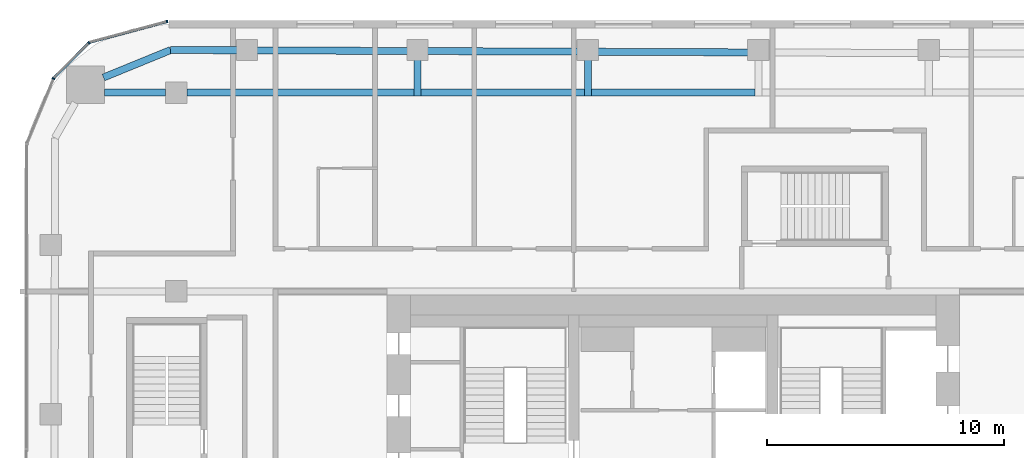
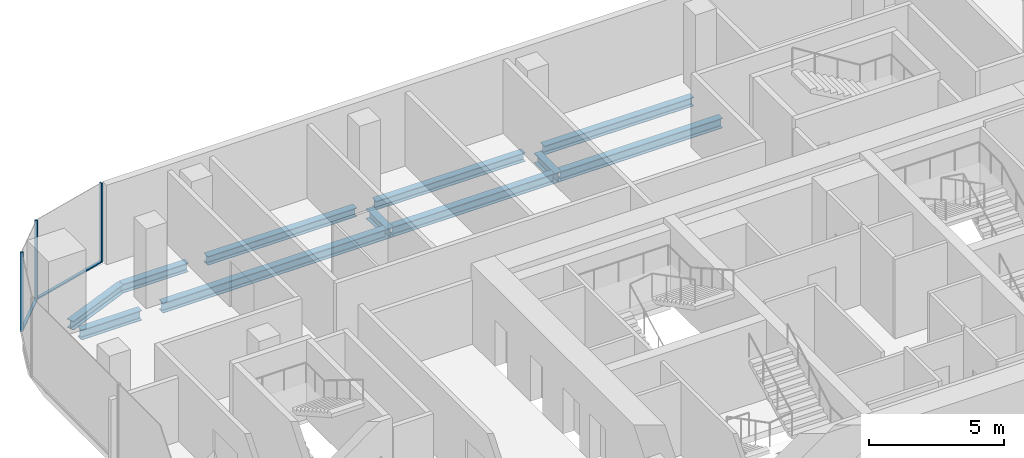
# One storey, part 10 of 23: 11 beams, 5 members, 3 elements without a shape of their own.
"""IFC4 building model written with IfcOpenShell, lengths in metres."""

from ifc_helpers import new_model, si_unit, direction, frame, origin, origin_2d, place, context, subcontext, project, spatial, rectangle, i_section, extrude, material, layer, layer_set, material_profile, profile_set, type_object, element, aggregate, save


model = new_model("IFC4")

# Units and contexts
model_context = context("Model", 3, precision=1e-05, world=origin(), true_north=direction((0.0, 1.0)))
body_context = subcontext(model_context, "Body", "Model", "MODEL_VIEW")
ifc_project = project(units=[si_unit("LENGTHUNIT", "METRE"), si_unit("AREAUNIT", "SQUARE_METRE"), si_unit("VOLUMEUNIT", "CUBIC_METRE"), si_unit("PLANEANGLEUNIT", "RADIAN"), si_unit("MASSUNIT", "GRAM", prefix="KILO")], contexts=[model_context])

# Site, building, storey
site_placement = place(None, origin())
site = spatial("IfcSite", under=ifc_project, at=site_placement, CompositionType="ELEMENT")
building_placement = place(site_placement, origin())
building = spatial("IfcBuilding", under=site, at=building_placement, Name="Marenta Gate Hotel Tower", CompositionType="ELEMENT")
storey_placement = place(building_placement, frame((0.0, 0.0, 162.5)))
storey = spatial("IfcBuildingStorey", under=building, at=storey_placement, Name="L38", CompositionType="ELEMENT", Elevation=162.5)

# Beams
ifc_material_1 = material(Name="Steel S355", Category="steel")
ifc_material_profile_1 = material_profile(ifc_material_1, i_section(OverallWidth=0.300048828125, OverallDepth=0.39990234375, WebThickness=0.013427734375, FlangeThickness=0.02392578125, FilletRadius=0.027099609375, at=origin_2d()), Name="HEB 400")
ifc_profile_set_1 = profile_set([ifc_material_profile_1], Name="Steel S355")
beam_type_1 = type_object("IfcBeamType", Name="Edge beam HEB 400", PredefinedType="SPANDREL", material=ifc_profile_set_1)
beam_1_placement = place(storey_placement, frame((-24.072509765625, 25.839111328125, -0.4599609375), z_axis=(0.925565978946, 0.378586342356, 0.0), x_axis=(-0.378586342356, 0.925565978946, 0.0)))
element("IfcBeam", 1, at=beam_1_placement, inside=storey, type_object=beam_type_1, Name="L38-EB-12", PredefinedType="SPANDREL", context=body_context, shape_type="SweptSolid", body=[
    extrude(i_section(OverallWidth=0.300048828125, OverallDepth=0.39990234375, WebThickness=0.013427734375, FlangeThickness=0.02392578125, FilletRadius=0.027099609375, at=origin_2d()), origin(), (0.0, 0.0, 1.0), 3.06640625),
])
beam_2_placement = place(storey_placement, frame((-21.234375, 27.0, -0.4599609375), z_axis=(0.999991706293, -0.004072756516, 0.0), x_axis=(0.004072756516, 0.999991706293, 0.0)))
element("IfcBeam", 2, at=beam_2_placement, inside=storey, type_object=beam_type_1, Name="L38-EB-13", PredefinedType="SPANDREL", context=body_context, shape_type="SweptSolid", body=[
    extrude(i_section(OverallWidth=0.300048828125, OverallDepth=0.39990234375, WebThickness=0.013427734375, FlangeThickness=0.02392578125, FilletRadius=0.027099609375, at=origin_2d()), origin(), (0.0, 0.0, 1.0), 2.8173828125),
])
beam_3_placement = place(storey_placement, frame((-17.596923828125, 26.985107421875, -0.4599609375), z_axis=(0.999991780748, -0.00405443424, 0.0), x_axis=(0.00405443424, 0.999991780748, 0.0)))
element("IfcBeam", 3, at=beam_3_placement, inside=storey, type_object=beam_type_1, Name="L38-EB-14", PredefinedType="SPANDREL", context=body_context, shape_type="SweptSolid", body=[
    extrude(i_section(OverallWidth=0.300048828125, OverallDepth=0.39990234375, WebThickness=0.013427734375, FlangeThickness=0.02392578125, FilletRadius=0.027099609375, at=origin_2d()), origin(), (0.0, 0.0, 1.0), 6.3828125),
])
beam_4_placement = place(storey_placement, frame((-10.39404296875, 26.955810546875, -0.4599609375), z_axis=(0.999991624297, -0.004092839529, 0.0), x_axis=(0.004092839529, 0.999991624297, 0.0)))
element("IfcBeam", 4, at=beam_4_placement, inside=storey, type_object=beam_type_1, Name="L38-EB-15", PredefinedType="SPANDREL", context=body_context, shape_type="SweptSolid", body=[
    extrude(i_section(OverallWidth=0.300048828125, OverallDepth=0.39990234375, WebThickness=0.013427734375, FlangeThickness=0.02392578125, FilletRadius=0.027099609375, at=origin_2d()), origin(), (0.0, 0.0, 1.0), 6.382568359375),
])
beam_5_placement = place(storey_placement, frame((-3.19140625, 26.926513671875, -0.4599609375), z_axis=(0.999991624938, -0.004092682982, 0.0), x_axis=(0.004092682982, 0.999991624938, 0.0)))
element("IfcBeam", 5, at=beam_5_placement, inside=storey, type_object=beam_type_1, Name="L38-EB-16", PredefinedType="SPANDREL", context=body_context, shape_type="SweptSolid", body=[
    extrude(i_section(OverallWidth=0.300048828125, OverallDepth=0.39990234375, WebThickness=0.013427734375, FlangeThickness=0.02392578125, FilletRadius=0.027099609375, at=origin_2d()), origin(), (0.0, 0.0, 1.0), 6.3828125),
])
ifc_material_2 = material(Name="Steel S355", Category="steel")
ifc_material_profile_2 = material_profile(ifc_material_2, i_section(OverallWidth=0.300048828125, OverallDepth=0.449951171875, WebThickness=0.013916015625, FlangeThickness=0.02587890625, FilletRadius=0.027099609375, at=origin_2d()), Name="HEB 450")
ifc_profile_set_2 = profile_set([ifc_material_profile_2], Name="Steel S355")
beam_type_2 = type_object("IfcBeamType", Name="Girder HEB 450", PredefinedType="BEAM", material=ifc_profile_set_2)
beam_6_placement = place(storey_placement, frame((-24.035400390625, 25.199951171875, -0.485107421875), z_axis=(1.0, 0.0, 0.0), x_axis=(0.0, 1.0, 0.0)))
element("IfcBeam", 6, at=beam_6_placement, inside=storey, type_object=beam_type_2, Name="L38-GD-29", PredefinedType="BEAM", context=body_context, shape_type="SweptSolid", body=[
    extrude(i_section(OverallWidth=0.300048828125, OverallDepth=0.449951171875, WebThickness=0.013916015625, FlangeThickness=0.02587890625, FilletRadius=0.027099609375, at=origin_2d()), origin(), (0.0, 0.0, 1.0), 2.58544921875),
])
beam_7_placement = place(storey_placement, frame((-20.550048828125, 25.199951171875, -0.485107421875), z_axis=(1.0, 0.0, 0.0), x_axis=(0.0, 1.0, 0.0)))
element("IfcBeam", 7, at=beam_7_placement, inside=storey, type_object=beam_type_2, Name="L38-GD-30", PredefinedType="BEAM", context=body_context, shape_type="SweptSolid", body=[
    extrude(i_section(OverallWidth=0.300048828125, OverallDepth=0.449951171875, WebThickness=0.013916015625, FlangeThickness=0.02587890625, FilletRadius=0.027099609375, at=origin_2d()), origin(), (0.0, 0.0, 1.0), 9.595947265625),
])
beam_8_placement = place(storey_placement, frame((-10.654052734375, 25.199951171875, -0.485107421875), z_axis=(1.0, 0.0, 0.0), x_axis=(0.0, 1.0, 0.0)))
element("IfcBeam", 8, at=beam_8_placement, inside=storey, type_object=beam_type_2, Name="L38-GD-31", PredefinedType="BEAM", context=body_context, shape_type="SweptSolid", body=[
    extrude(i_section(OverallWidth=0.300048828125, OverallDepth=0.449951171875, WebThickness=0.013916015625, FlangeThickness=0.02587890625, FilletRadius=0.027099609375, at=origin_2d()), origin(), (0.0, 0.0, 1.0), 6.902587890625),
])
beam_9_placement = place(storey_placement, frame((-3.451416015625, 25.199951171875, -0.485107421875), z_axis=(1.0, 0.0, 0.0), x_axis=(0.0, 1.0, 0.0)))
element("IfcBeam", 9, at=beam_9_placement, inside=storey, type_object=beam_type_2, Name="L38-GD-32", PredefinedType="BEAM", context=body_context, shape_type="SweptSolid", body=[
    extrude(i_section(OverallWidth=0.300048828125, OverallDepth=0.449951171875, WebThickness=0.013916015625, FlangeThickness=0.02587890625, FilletRadius=0.027099609375, at=origin_2d()), origin(), (0.0, 0.0, 1.0), 6.90283203125),
])
ifc_material_3 = material(Name="Steel S355", Category="steel")
ifc_material_profile_3 = material_profile(ifc_material_3, i_section(OverallWidth=0.300048828125, OverallDepth=0.449951171875, WebThickness=0.013916015625, FlangeThickness=0.02587890625, FilletRadius=0.027099609375, at=origin_2d()), Name="HEB 450")
ifc_profile_set_3 = profile_set([ifc_material_profile_3], Name="Steel S355")
beam_type_3 = type_object("IfcBeamType", Name="Girder bracket HEB 450", PredefinedType="BEAM", material=ifc_profile_set_3)
for number, where, z_axis, x_axis, name in (
    (10, (-10.80419921875, 25.050048828125, -0.485107421875), (0.0, 1.0, 0.0), (-1.0, 0.0, 0.0), "L38-GS-1"),
    (11, (-3.601318359375, 25.050048828125, -0.485107421875), (0.0, 1.0, 0.0), (-1.0, 0.0, 0.0), "L38-GS-2"),
):
    element("IfcBeam", number, at=place(storey_placement, frame(where, z_axis=z_axis, x_axis=x_axis)), inside=storey, type_object=beam_type_3, Name=name, PredefinedType="BEAM", context=body_context, shape_type="SweptSolid", body=[
        extrude(i_section(OverallWidth=0.300048828125, OverallDepth=0.449951171875, WebThickness=0.013916015625, FlangeThickness=0.02587890625, FilletRadius=0.027099609375, at=origin_2d()), origin(), (0.0, 0.0, 1.0), 1.5400390625),
    ])

# Curtain wall, member
ifc_material_4 = material(Name="Tinted insulated glass in bronze anodised frame", Category="glass")
ifc_layer = layer(ifc_material_4, 0.1201171875)
ifc_layer_set = layer_set([ifc_layer], Name="Tinted insulated glass in bronze anodised frame")
curtain_wall_type = type_object("IfcCurtainWallType", Name="Tower unitised curtain wall CW1", PredefinedType="NOTDEFINED", material=ifc_layer_set)
curtain_wall_1_placement = place(storey_placement, origin())
curtain_wall_1 = element("IfcCurtainWall", 12, at=curtain_wall_1_placement, inside=storey, type_object=curtain_wall_type, Name="CW1 run G00", PredefinedType="NOTDEFINED")
ifc_material_5 = material(Name="Bronze anodised aluminium", Category="aluminium")
ifc_material_profile_4 = material_profile(ifc_material_5, rectangle(XDim=0.1201171875, YDim=0.06005859375, at=origin_2d()), Name="Mullion CW1 60x120 bronze anodised aluminium")
ifc_profile_set_4 = profile_set([ifc_material_profile_4], Name="Bronze anodised aluminium")
member_type_1 = type_object("IfcMemberType", Name="Mullion CW1 60x120 bronze anodised aluminium", PredefinedType="MULLION", material=ifc_profile_set_4)
member_1_placement = place(storey_placement, frame((-21.385498046875, 28.203125, 0.0), z_axis=(0.0, 0.0, 1.0), x_axis=(0.258801234873, -0.96593059835, 0.0)))
member_1 = element("IfcMember", 13, at=member_1_placement, type_object=member_type_1, Name="CW1 mullion 1", PredefinedType="MULLION", context=body_context, shape_type="SweptSolid", body=[
    extrude(rectangle(XDim=0.1201171875, YDim=0.06005859375, at=origin_2d()), origin(), (0.0, 0.0, 1.0), 3.60009765625),
])

curtain_wall_2_placement = place(storey_placement, origin())
curtain_wall_2 = element("IfcCurtainWall", 14, at=curtain_wall_2_placement, inside=storey, type_object=curtain_wall_type, Name="CW1 run G01", PredefinedType="NOTDEFINED")
member_2_placement = place(storey_placement, frame((-24.68798828125, 27.302978515625, 0.0), z_axis=(0.0, 0.0, 1.0), x_axis=(0.707106781187, -0.707106781187, 0.0)))
member_2 = element("IfcMember", 15, at=member_2_placement, type_object=member_type_1, Name="CW1 mullion 1", PredefinedType="MULLION", context=body_context, shape_type="SweptSolid", body=[
    extrude(rectangle(XDim=0.1201171875, YDim=0.06005859375, at=origin_2d()), origin(), (0.0, 0.0, 1.0), 3.60009765625),
])

curtain_wall_3_placement = place(storey_placement, origin())
curtain_wall_3 = element("IfcCurtainWall", 16, at=curtain_wall_3_placement, inside=storey, type_object=curtain_wall_type, Name="CW1 run G02", PredefinedType="NOTDEFINED")
member_3_placement = place(storey_placement, frame((-26.183837890625, 25.790771484375, 0.0), z_axis=(0.0, 0.0, 1.0), x_axis=(0.923884278178, -0.382671975111, 0.0)))
member_3 = element("IfcMember", 17, at=member_3_placement, type_object=member_type_1, Name="CW1 mullion 1", PredefinedType="MULLION", context=body_context, shape_type="SweptSolid", body=[
    extrude(rectangle(XDim=0.1201171875, YDim=0.06005859375, at=origin_2d()), origin(), (0.0, 0.0, 1.0), 3.60009765625),
])
aggregate(curtain_wall_3, [member_3])

# Member
ifc_material_6 = material(Name="Bronze anodised aluminium", Category="aluminium")
ifc_material_profile_5 = material_profile(ifc_material_6, rectangle(XDim=0.1201171875, YDim=0.06005859375, at=origin_2d()), Name="Transom CW1 60x120 bronze anodised aluminium")
ifc_profile_set_5 = profile_set([ifc_material_profile_5], Name="Bronze anodised aluminium")
member_type_2 = type_object("IfcMemberType", Name="Transom CW1 60x120 bronze anodised aluminium", PredefinedType="USERDEFINED", material=ifc_profile_set_5)
member_4_placement = place(storey_placement, frame((-21.41455078125, 28.195556640625, 0.030029296875), z_axis=(-0.965932192411, -0.258795285243, 0.0), x_axis=(0.258795285243, -0.965932192411, 0.0)))
member_4 = element("IfcMember", 18, at=member_4_placement, type_object=member_type_2, Name="CW1 transom 1.1", ObjectType="TRANSOM", PredefinedType="USERDEFINED", context=body_context, shape_type="SweptSolid", body=[
    extrude(rectangle(XDim=0.1201171875, YDim=0.06005859375, at=origin_2d()), origin(), (0.0, 0.0, 1.0), 3.366943359375),
])

aggregate(curtain_wall_1, [member_1, member_4])

member_5_placement = place(storey_placement, frame((-24.709228515625, 27.28173828125, 0.030029296875), z_axis=(-0.707106781187, -0.707106781187, 0.0), x_axis=(0.707106781187, -0.707106781187, 0.0)))
member_5 = element("IfcMember", 19, at=member_5_placement, type_object=member_type_2, Name="CW1 transom 1.1", ObjectType="TRANSOM", PredefinedType="USERDEFINED", context=body_context, shape_type="SweptSolid", body=[
    extrude(rectangle(XDim=0.1201171875, YDim=0.06005859375, at=origin_2d()), origin(), (0.0, 0.0, 1.0), 2.069091796875),
])

aggregate(curtain_wall_2, [member_2, member_5])

save(model, "model.ifc")
